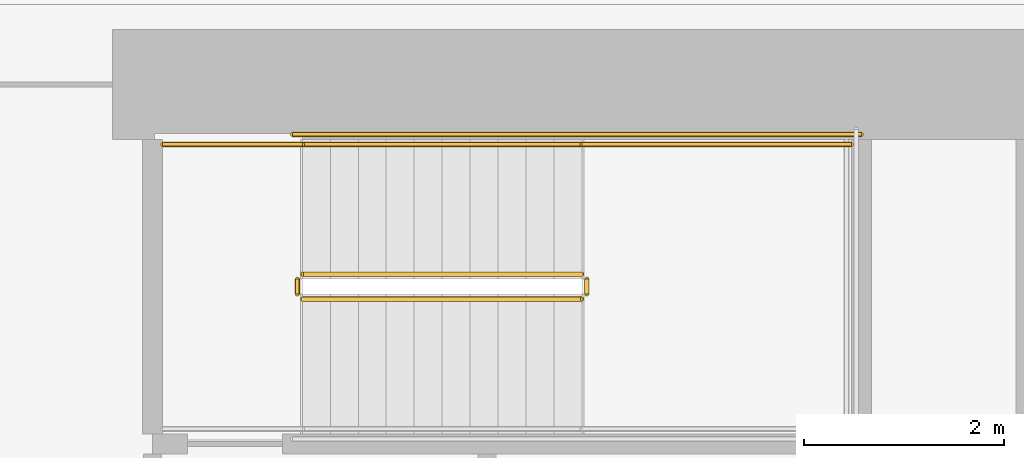
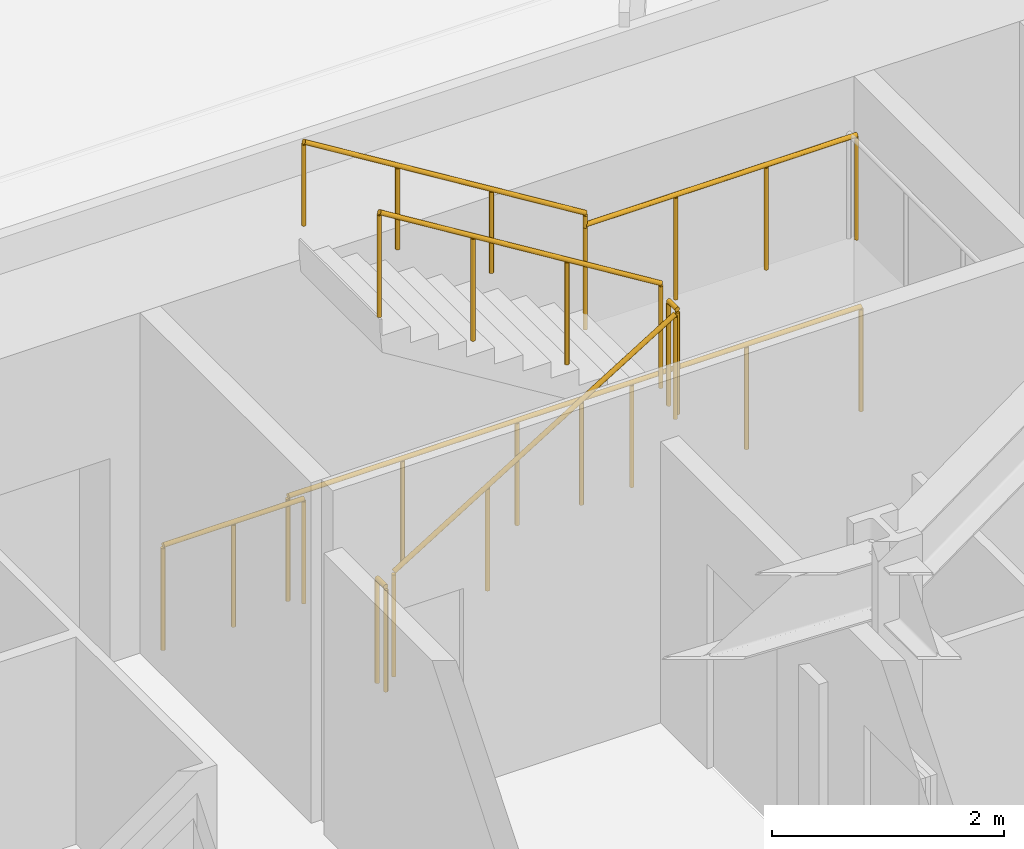
# One storey, part 14 of 16: 8 railings.
"""IFC4 building model written with IfcOpenShell, lengths in metres."""

from ifc_helpers import new_model, si_unit, direction, frame, origin, origin_2d, place, context, subcontext, project, spatial, circle, extrude, material, type_object, element, save


model = new_model("IFC4")

# Units and contexts
model_context = context("Model", 3, precision=1e-05, world=origin(), true_north=direction((0.0, 1.0)))
body_context = subcontext(model_context, "Body", "Model", "MODEL_VIEW")
ifc_project = project(units=[si_unit("LENGTHUNIT", "METRE"), si_unit("AREAUNIT", "SQUARE_METRE"), si_unit("VOLUMEUNIT", "CUBIC_METRE"), si_unit("PLANEANGLEUNIT", "RADIAN"), si_unit("MASSUNIT", "GRAM", prefix="KILO")], contexts=[model_context])

# Site, building, storey
site_placement = place(None, origin())
site = spatial("IfcSite", under=ifc_project, at=site_placement, CompositionType="ELEMENT")
building_placement = place(site_placement, origin())
building = spatial("IfcBuilding", under=site, at=building_placement, Name="Valkerne Bourse Tower", CompositionType="ELEMENT")
storey_placement = place(building_placement, frame((0.0, 0.0, 62.0)))
storey = spatial("IfcBuildingStorey", under=building, at=storey_placement, Name="L15", CompositionType="ELEMENT", Elevation=62.0)

# Railings
ifc_material_1 = material(Name="Galvanised Painted Steel", Category="steel")
railing_type_1 = type_object("IfcRailingType", Name="RLG-ST-GUARD-1120", PredefinedType="GUARDRAIL", material=ifc_material_1)
railing_1_placement = place(storey_placement, frame((48.14990234375, 33.550048828125, 0.172607421875)))
element("IfcRailing", 1, at=railing_1_placement, inside=storey, type_object=railing_type_1, Name="L15 ST-2 stair guard 1", PredefinedType="GUARDRAIL", context=body_context, shape_type="SweptSolid", body=[
    extrude(circle(Radius=0.02392578125, at=origin_2d()), frame((0.0, 0.0, 1.09619140625), z_axis=(0.851089632645, 0.0, 0.525020415988), x_axis=(0.0, 1.0, 0.0)), (0.0, 0.0, 1.0), 3.2900390625),
    extrude(circle(Radius=0.02099609375, at=origin_2d()), origin(), (0.0, 0.0, 1.0), 1.072021484375),
    extrude(circle(Radius=0.02099609375, at=origin_2d()), frame((0.933349609375, 0.0, 0.57568359375)), (0.0, 0.0, 1.0), 1.072021484375),
    extrude(circle(Radius=0.02099609375, at=origin_2d()), frame((1.86669921875, 0.0, 1.151611328125)), (0.0, 0.0, 1.0), 1.072021484375),
    extrude(circle(Radius=0.02099609375, at=origin_2d()), frame((2.800048828125, 0.0, 1.727294921875)), (0.0, 0.0, 1.0), 1.072021484375),
])
railing_2_placement = place(storey_placement, frame((51.0, 33.60009765625, 1.89990234375)))
element("IfcRailing", 2, at=railing_2_placement, inside=storey, type_object=railing_type_1, Name="L15 ST-2 stair guard 2", PredefinedType="GUARDRAIL", context=body_context, shape_type="SweptSolid", body=[
    extrude(circle(Radius=0.02392578125, at=origin_2d()), frame((0.0, 0.0, 1.09619140625), z_axis=(0.0, 1.0, 0.0), x_axis=(-1.0, 0.0, 0.0)), (0.0, 0.0, 1.0), 0.14990234375),
    extrude(circle(Radius=0.02099609375, at=origin_2d()), origin(), (0.0, 0.0, 1.0), 1.072021484375),
    extrude(circle(Radius=0.02099609375, at=origin_2d()), frame((0.0, 0.14990234375, 0.0)), (0.0, 0.0, 1.0), 1.072021484375),
])
railing_3_placement = place(storey_placement, frame((50.949951171875, 35.10009765625, 1.89990234375)))
element("IfcRailing", 3, at=railing_3_placement, inside=storey, type_object=railing_type_1, Name="L15 ST-2 stair guard 4", PredefinedType="GUARDRAIL", context=body_context, shape_type="SweptSolid", body=[
    extrude(circle(Radius=0.02392578125, at=origin_2d()), frame((0.0, 0.0, 1.09619140625), z_axis=(1.0, 0.0, 0.0), x_axis=(0.0, 1.0, 0.0)), (0.0, 0.0, 1.0), 2.699951171875),
    extrude(circle(Radius=0.02099609375, at=origin_2d()), origin(), (0.0, 0.0, 1.0), 1.072021484375),
    extrude(circle(Radius=0.02099609375, at=origin_2d()), frame((0.89990234375, 0.0, 0.0)), (0.0, 0.0, 1.0), 1.072021484375),
    extrude(circle(Radius=0.02099609375, at=origin_2d()), frame((1.800048828125, 0.0, 0.0)), (0.0, 0.0, 1.0), 1.072021484375),
    extrude(circle(Radius=0.02099609375, at=origin_2d()), frame((2.699951171875, 0.0, 0.0)), (0.0, 0.0, 1.0), 1.072021484375),
])
railing_4_placement = place(storey_placement, frame((50.949951171875, 33.800048828125, 2.07275390625)))
element("IfcRailing", 4, at=railing_4_placement, inside=storey, type_object=railing_type_1, Name="L15 ST-2 stair guard 6", PredefinedType="GUARDRAIL", context=body_context, shape_type="SweptSolid", body=[
    extrude(circle(Radius=0.02392578125, at=origin_2d()), frame((0.0, 0.0, 1.09619140625), z_axis=(-0.851089632645, 0.0, 0.525020415988), x_axis=(0.0, -1.0, 0.0)), (0.0, 0.0, 1.0), 3.2900390625),
    extrude(circle(Radius=0.02099609375, at=origin_2d()), origin(), (0.0, 0.0, 1.0), 1.072021484375),
    extrude(circle(Radius=0.02099609375, at=origin_2d()), frame((-0.933349609375, 0.0, 0.57568359375)), (0.0, 0.0, 1.0), 1.072021484375),
    extrude(circle(Radius=0.02099609375, at=origin_2d()), frame((-1.86669921875, 0.0, 1.151611328125)), (0.0, 0.0, 1.0), 1.072021484375),
    extrude(circle(Radius=0.02099609375, at=origin_2d()), frame((-2.800048828125, 0.0, 1.727294921875)), (0.0, 0.0, 1.0), 1.072021484375),
])
railing_5_placement = place(storey_placement, frame((48.10009765625, 33.60009765625, 0.0)))
element("IfcRailing", 5, at=railing_5_placement, inside=storey, type_object=railing_type_1, Name="L15 ST-2 stair guard 7", PredefinedType="GUARDRAIL", context=body_context, shape_type="SweptSolid", body=[
    extrude(circle(Radius=0.02392578125, at=origin_2d()), frame((0.0, 0.0, 1.09619140625), z_axis=(0.0, 1.0, 0.0), x_axis=(-1.0, 0.0, 0.0)), (0.0, 0.0, 1.0), 0.14990234375),
    extrude(circle(Radius=0.02099609375, at=origin_2d()), origin(), (0.0, 0.0, 1.0), 1.072021484375),
    extrude(circle(Radius=0.02099609375, at=origin_2d()), frame((0.0, 0.14990234375, 0.0)), (0.0, 0.0, 1.0), 1.072021484375),
])
railing_6_placement = place(storey_placement, frame((46.75, 35.10009765625, 0.0)))
element("IfcRailing", 6, at=railing_6_placement, inside=storey, type_object=railing_type_1, Name="L15 ST-2 stair guard 9", PredefinedType="GUARDRAIL", context=body_context, shape_type="SweptSolid", body=[
    extrude(circle(Radius=0.02392578125, at=origin_2d()), frame((0.0, 0.0, 1.09619140625), z_axis=(1.0, 0.0, 0.0), x_axis=(0.0, 1.0, 0.0)), (0.0, 0.0, 1.0), 1.39990234375),
    extrude(circle(Radius=0.02099609375, at=origin_2d()), origin(), (0.0, 0.0, 1.0), 1.072021484375),
    extrude(circle(Radius=0.02099609375, at=origin_2d()), frame((0.699951171875, 0.0, 0.0)), (0.0, 0.0, 1.0), 1.072021484375),
    extrude(circle(Radius=0.02099609375, at=origin_2d()), frame((1.39990234375, 0.0, 0.0)), (0.0, 0.0, 1.0), 1.072021484375),
])
railing_7_placement = place(storey_placement, frame((48.050048828125, 35.199951171875, 0.0)))
element("IfcRailing", 7, at=railing_7_placement, inside=storey, type_object=railing_type_1, Name="L15 ST-2 stair guard 11", PredefinedType="GUARDRAIL", context=body_context, shape_type="SweptSolid", body=[
    extrude(circle(Radius=0.02392578125, at=origin_2d()), frame((0.0, 0.0, 1.09619140625), z_axis=(1.0, 0.0, 0.0), x_axis=(0.0, 1.0, 0.0)), (0.0, 0.0, 1.0), 5.699951171875),
    extrude(circle(Radius=0.02099609375, at=origin_2d()), origin(), (0.0, 0.0, 1.0), 1.072021484375),
    extrude(circle(Radius=0.02099609375, at=origin_2d()), frame((1.139892578125, 0.0, 0.0)), (0.0, 0.0, 1.0), 1.072021484375),
    extrude(circle(Radius=0.02099609375, at=origin_2d()), frame((2.280029296875, 0.0, 0.0)), (0.0, 0.0, 1.0), 1.072021484375),
    extrude(circle(Radius=0.02099609375, at=origin_2d()), frame((3.419921875, 0.0, 0.0)), (0.0, 0.0, 1.0), 1.072021484375),
    extrude(circle(Radius=0.02099609375, at=origin_2d()), frame((4.56005859375, 0.0, 0.0)), (0.0, 0.0, 1.0), 1.072021484375),
    extrude(circle(Radius=0.02099609375, at=origin_2d()), frame((5.699951171875, 0.0, 0.0)), (0.0, 0.0, 1.0), 1.072021484375),
])
ifc_material_2 = material(Name="Stainless Steel AISI 316", Category="steel")
railing_type_2 = type_object("IfcRailingType", Name="RLG-ST-HANDRAIL-900", PredefinedType="HANDRAIL", material=ifc_material_2)
railing_8_placement = place(storey_placement, frame((50.949951171875, 35.10009765625, 2.245361328125)))
element("IfcRailing", 8, at=railing_8_placement, inside=storey, type_object=railing_type_2, Name="L15 ST-2 stair handrail 2", PredefinedType="HANDRAIL", context=body_context, shape_type="SweptSolid", body=[
    extrude(circle(Radius=0.02392578125, at=origin_2d()), frame((0.0, 0.0, 0.8759765625), z_axis=(-0.851089632645, 0.0, 0.525020415988), x_axis=(0.0, -1.0, 0.0)), (0.0, 0.0, 1.0), 3.2900390625),
    extrude(circle(Radius=0.02099609375, at=origin_2d()), origin(), (0.0, 0.0, 1.0), 0.851806640625),
    extrude(circle(Radius=0.02099609375, at=origin_2d()), frame((-0.933349609375, 0.0, 0.57568359375)), (0.0, 0.0, 1.0), 0.851806640625),
    extrude(circle(Radius=0.02099609375, at=origin_2d()), frame((-1.86669921875, 0.0, 1.151611328125)), (0.0, 0.0, 1.0), 0.851806640625),
    extrude(circle(Radius=0.02099609375, at=origin_2d()), frame((-2.800048828125, 0.0, 1.727294921875)), (0.0, 0.0, 1.0), 0.851806640625),
])

save(model, "model.ifc")
